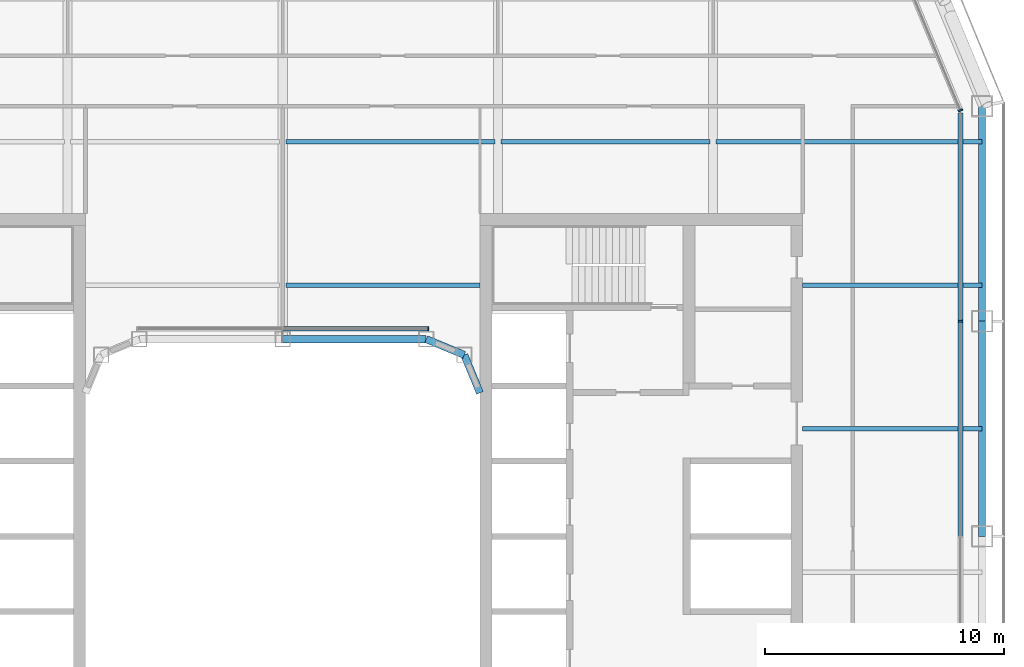
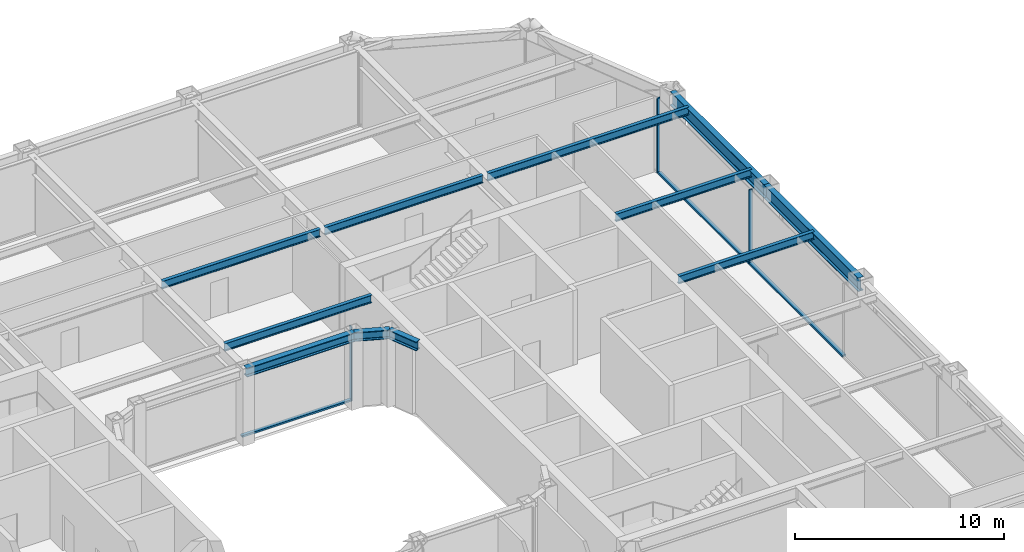
# One storey, part 8 of 21: 11 beams, 6 members, 3 elements without a shape of their own.
"""IFC4 building model written with IfcOpenShell, lengths in metres."""

from ifc_helpers import new_model, si_unit, direction, frame, origin, origin_2d, place, context, subcontext, project, spatial, rectangle, i_section, extrude, material, layer, layer_set, material_profile, profile_set, type_object, element, aggregate, save


model = new_model("IFC4")

# Units and contexts
model_context = context("Model", 3, precision=1e-05, world=origin(), true_north=direction((0.0, 1.0)))
body_context = subcontext(model_context, "Body", "Model", "MODEL_VIEW")
ifc_project = project(units=[si_unit("LENGTHUNIT", "METRE"), si_unit("AREAUNIT", "SQUARE_METRE"), si_unit("VOLUMEUNIT", "CUBIC_METRE"), si_unit("PLANEANGLEUNIT", "RADIAN"), si_unit("MASSUNIT", "GRAM", prefix="KILO")], contexts=[model_context])

# Site, building, storey
site_placement = place(None, origin())
site = spatial("IfcSite", under=ifc_project, at=site_placement, CompositionType="ELEMENT")
building_placement = place(site_placement, origin())
building = spatial("IfcBuilding", under=site, at=building_placement, Name="Siwar Civic Tower", CompositionType="ELEMENT")
storey_placement = place(building_placement, frame((0.0, 0.0, 158.699951171875)))
storey = spatial("IfcBuildingStorey", under=building, at=storey_placement, Name="L34", CompositionType="ELEMENT", Elevation=158.699951171875)

# Curtain wall, member
ifc_material_1 = material(Name="Aluminium and glass", Category="aluminium")
ifc_layer_1 = layer(ifc_material_1, 0.199951171875)
ifc_layer_set_1 = layer_set([ifc_layer_1], Name="Aluminium and glass")
curtain_wall_type_1 = type_object("IfcCurtainWallType", Name="ENV-CW-B", PredefinedType="NOTDEFINED", material=ifc_layer_set_1)
curtain_wall_1_placement = place(storey_placement, origin())
curtain_wall_1 = element("IfcCurtainWall", 1, at=curtain_wall_1_placement, inside=storey, type_object=curtain_wall_type_1, Name="Curtain wall B E", PredefinedType="NOTDEFINED")
ifc_material_2 = material(Name="Aluminium 6063-T6", Category="aluminium")
ifc_material_profile_1 = material_profile(ifc_material_2, rectangle(XDim=0.199951171875, YDim=0.06494140625, at=origin_2d()), Name="AL 200x65")
ifc_profile_set_1 = profile_set([ifc_material_profile_1], Name="Aluminium 6063-T6")
member_type_1 = type_object("IfcMemberType", Name="ENV-MULLION-B", PredefinedType="MULLION", material=ifc_profile_set_1)
member_1_placement = place(storey_placement, frame((28.35009765625, 9.0, 0.0), z_axis=(0.0, 0.0, 1.0), x_axis=(-1.0, 0.0, 0.0)))
member_1 = element("IfcMember", 2, at=member_1_placement, type_object=member_type_1, Name="Mullion B E 4", PredefinedType="MULLION", context=body_context, shape_type="SweptSolid", body=[
    extrude(rectangle(XDim=0.199951171875, YDim=0.06494140625, at=origin_2d()), origin(), (0.0, 0.0, 1.0), 4.35009765625),
])

ifc_material_3 = material(Name="Aluminium clad insulated panel", Category="aluminium")
ifc_layer_2 = layer(ifc_material_3, 0.199951171875)
ifc_layer_set_2 = layer_set([ifc_layer_2], Name="Aluminium clad insulated panel")
curtain_wall_type_2 = type_object("IfcCurtainWallType", Name="ENV-CW-BX", PredefinedType="NOTDEFINED", material=ifc_layer_set_2)
curtain_wall_2_placement = place(storey_placement, origin())
curtain_wall_2 = element("IfcCurtainWall", 3, at=curtain_wall_2_placement, inside=storey, type_object=curtain_wall_type_2, Name="Curtain wall B NE1", PredefinedType="NOTDEFINED")
member_2_placement = place(storey_placement, frame((28.35009765625, 17.821044921875, 0.0), z_axis=(0.0, 0.0, 1.0), x_axis=(-0.923879532511, -0.382683432365, 0.0)))
member_2 = element("IfcMember", 4, at=member_2_placement, type_object=member_type_1, Name="Mullion B NE1 1", PredefinedType="MULLION", context=body_context, shape_type="SweptSolid", body=[
    extrude(rectangle(XDim=0.199951171875, YDim=0.06494140625, at=origin_2d()), origin(), (0.0, 0.0, 1.0), 4.35009765625),
])
aggregate(curtain_wall_2, [member_2])

ifc_material_4 = material(Name="Aluminium and glass", Category="aluminium")
ifc_layer_3 = layer(ifc_material_4, 0.179931640625)
ifc_layer_set_3 = layer_set([ifc_layer_3], Name="Aluminium and glass")
curtain_wall_type_3 = type_object("IfcCurtainWallType", Name="ENV-CW-W", PredefinedType="NOTDEFINED", material=ifc_layer_set_3)
curtain_wall_3_placement = place(storey_placement, origin())
curtain_wall_3 = element("IfcCurtainWall", 5, at=curtain_wall_3_placement, inside=storey, type_object=curtain_wall_type_3, Name="Curtain wall W WN", PredefinedType="NOTDEFINED")
ifc_material_5 = material(Name="Aluminium 6063-T6", Category="aluminium")
ifc_material_profile_2 = material_profile(ifc_material_5, rectangle(XDim=0.179931640625, YDim=0.06005859375, at=origin_2d()), Name="AL 180x60")
ifc_profile_set_2 = profile_set([ifc_material_profile_2], Name="Aluminium 6063-T6")
member_type_2 = type_object("IfcMemberType", Name="ENV-MULLION-W", PredefinedType="MULLION", material=ifc_profile_set_2)
member_3_placement = place(storey_placement, frame((6.08642578125, 8.68505859375, 0.0), z_axis=(0.0, 0.0, 1.0), x_axis=(0.0, -1.0, 0.0)))
member_3 = element("IfcMember", 6, at=member_3_placement, type_object=member_type_2, Name="Mullion W WN 1", PredefinedType="MULLION", context=body_context, shape_type="SweptSolid", body=[
    extrude(rectangle(XDim=0.179931640625, YDim=0.06005859375, at=origin_2d()), origin(), (0.0, 0.0, 1.0), 4.35009765625),
])

# Member
ifc_material_6 = material(Name="Aluminium 6063-T6", Category="aluminium")
ifc_material_profile_3 = material_profile(ifc_material_6, rectangle(XDim=0.199951171875, YDim=0.110107421875, at=origin_2d()), Name="AL 200x110")
ifc_profile_set_3 = profile_set([ifc_material_profile_3], Name="Aluminium 6063-T6")
member_type_3 = type_object("IfcMemberType", Name="ENV-TRANSOM-B", PredefinedType="USERDEFINED", material=ifc_profile_set_3)
member_4_placement = place(storey_placement, frame((28.35009765625, 0.032470703125, 0.054931640625), z_axis=(0.0, 1.0, 0.0), x_axis=(-1.0, 0.0, 0.0)))
member_4 = element("IfcMember", 7, at=member_4_placement, type_object=member_type_3, Name="Transom B E 3", ObjectType="TRANSOM", PredefinedType="USERDEFINED", context=body_context, shape_type="SweptSolid", body=[
    extrude(rectangle(XDim=0.199951171875, YDim=0.110107421875, at=origin_2d()), origin(), (0.0, 0.0, 1.0), 8.93505859375),
])

member_5_placement = place(storey_placement, frame((28.35009765625, 9.032470703125, 0.054931640625), z_axis=(0.0, 1.0, 0.0), x_axis=(-1.0, 0.0, 0.0)))
member_5 = element("IfcMember", 8, at=member_5_placement, type_object=member_type_3, Name="Transom B E 4", ObjectType="TRANSOM", PredefinedType="USERDEFINED", context=body_context, shape_type="SweptSolid", body=[
    extrude(rectangle(XDim=0.199951171875, YDim=0.110107421875, at=origin_2d()), origin(), (0.0, 0.0, 1.0), 8.6748046875),
])

aggregate(curtain_wall_1, [member_1, member_4, member_5])

ifc_material_7 = material(Name="Aluminium 6063-T6", Category="aluminium")
ifc_material_profile_4 = material_profile(ifc_material_7, rectangle(XDim=0.179931640625, YDim=0.10009765625, at=origin_2d()), Name="AL 180x100")
ifc_profile_set_4 = profile_set([ifc_material_profile_4], Name="Aluminium 6063-T6")
member_type_4 = type_object("IfcMemberType", Name="ENV-TRANSOM-W", PredefinedType="USERDEFINED", material=ifc_profile_set_4)
member_6_placement = place(storey_placement, frame((6.056640625, 8.68505859375, 0.050048828125), z_axis=(-1.0, 0.0, 0.0), x_axis=(0.0, -1.0, 0.0)))
member_6 = element("IfcMember", 9, at=member_6_placement, type_object=member_type_4, Name="Transom W WN 1", ObjectType="TRANSOM", PredefinedType="USERDEFINED", context=body_context, shape_type="SweptSolid", body=[
    extrude(rectangle(XDim=0.179931640625, YDim=0.10009765625, at=origin_2d()), origin(), (0.0, 0.0, 1.0), 6.026611328125),
])

aggregate(curtain_wall_3, [member_3, member_6])

# Beams
ifc_material_8 = material(Name="Steel S355", Category="steel")
ifc_material_profile_5 = material_profile(ifc_material_8, i_section(OverallWidth=0.18994140625, OverallDepth=0.449951171875, WebThickness=0.009521484375, FlangeThickness=0.0146484375, FilletRadius=0.02099609375, at=origin_2d()), Name="IPE450")
ifc_profile_set_5 = profile_set([ifc_material_profile_5], Name="Steel S355")
beam_type_1 = type_object("IfcBeamType", Name="STR-FB-IPE450", PredefinedType="JOIST", material=ifc_profile_set_5)
beam_1_placement = place(storey_placement, frame((21.75, 4.5, 4.125), z_axis=(1.0, 0.0, 0.0), x_axis=(0.0, 1.0, 0.0)))
element("IfcBeam", 10, at=beam_1_placement, inside=storey, type_object=beam_type_1, Name="L34/bm/F026", PredefinedType="JOIST", context=body_context, shape_type="SweptSolid", body=[
    extrude(i_section(OverallWidth=0.18994140625, OverallDepth=0.449951171875, WebThickness=0.009521484375, FlangeThickness=0.0146484375, FilletRadius=0.02099609375, at=origin_2d()), origin(), (0.0, 0.0, 1.0), 7.5),
])
beam_2_placement = place(storey_placement, frame((0.1298828125, 10.5, 4.125), z_axis=(1.0, 0.0, 0.0), x_axis=(0.0, 1.0, 0.0)))
element("IfcBeam", 11, at=beam_2_placement, inside=storey, type_object=beam_type_1, Name="L34/bm/F029", PredefinedType="JOIST", context=body_context, shape_type="SweptSolid", body=[
    extrude(i_section(OverallWidth=0.18994140625, OverallDepth=0.449951171875, WebThickness=0.009521484375, FlangeThickness=0.0146484375, FilletRadius=0.02099609375, at=origin_2d()), origin(), (0.0, 0.0, 1.0), 8.1201171875),
])
beam_3_placement = place(storey_placement, frame((21.75, 10.5, 4.125), z_axis=(1.0, 0.0, 0.0), x_axis=(0.0, 1.0, 0.0)))
element("IfcBeam", 12, at=beam_3_placement, inside=storey, type_object=beam_type_1, Name="L34/bm/F030", PredefinedType="JOIST", context=body_context, shape_type="SweptSolid", body=[
    extrude(i_section(OverallWidth=0.18994140625, OverallDepth=0.449951171875, WebThickness=0.009521484375, FlangeThickness=0.0146484375, FilletRadius=0.02099609375, at=origin_2d()), origin(), (0.0, 0.0, 1.0), 7.5),
])
for number, where, z_axis, x_axis, name in (
    (13, (0.1298828125, 16.5, 4.125), (1.0, 0.0, 0.0), (0.0, 1.0, 0.0), "L34/bm/F034"),
    (14, (9.1298828125, 16.5, 4.125), (1.0, 0.0, 0.0), (0.0, 1.0, 0.0), "L34/bm/F035"),
):
    element("IfcBeam", number, at=place(storey_placement, frame(where, z_axis=z_axis, x_axis=x_axis)), inside=storey, type_object=beam_type_1, Name=name, PredefinedType="JOIST", context=body_context, shape_type="SweptSolid", body=[
        extrude(i_section(OverallWidth=0.18994140625, OverallDepth=0.449951171875, WebThickness=0.009521484375, FlangeThickness=0.0146484375, FilletRadius=0.02099609375, at=origin_2d()), origin(), (0.0, 0.0, 1.0), 8.740234375),
    ])
beam_4_placement = place(storey_placement, frame((18.1298828125, 16.5, 4.125), z_axis=(1.0, 0.0, 0.0), x_axis=(0.0, 1.0, 0.0)))
element("IfcBeam", 15, at=beam_4_placement, inside=storey, type_object=beam_type_1, Name="L34/bm/F036", PredefinedType="JOIST", context=body_context, shape_type="SweptSolid", body=[
    extrude(i_section(OverallWidth=0.18994140625, OverallDepth=0.449951171875, WebThickness=0.009521484375, FlangeThickness=0.0146484375, FilletRadius=0.02099609375, at=origin_2d()), origin(), (0.0, 0.0, 1.0), 11.1201171875),
])
ifc_material_9 = material(Name="Steel S355", Category="steel")
ifc_material_profile_6 = material_profile(ifc_material_9, i_section(OverallWidth=0.305908203125, OverallDepth=0.52392578125, WebThickness=0.02099609375, FlangeThickness=0.0400390625, FilletRadius=0.027099609375, at=origin_2d()), Name="HEM500")
ifc_profile_set_6 = profile_set([ifc_material_profile_6], Name="Steel S355")
beam_type_2 = type_object("IfcBeamType", Name="STR-RB-HEM500", PredefinedType="BEAM", material=ifc_profile_set_6)
beam_5_placement = place(storey_placement, frame((0.0, 8.25, 4.088134765625), z_axis=(1.0, 0.0, 0.0), x_axis=(0.0, 1.0, 0.0)))
element("IfcBeam", 16, at=beam_5_placement, inside=storey, type_object=beam_type_2, Name="L34/bm/RN2", PredefinedType="BEAM", context=body_context, shape_type="SweptSolid", body=[
    extrude(i_section(OverallWidth=0.305908203125, OverallDepth=0.52392578125, WebThickness=0.02099609375, FlangeThickness=0.0400390625, FilletRadius=0.027099609375, at=origin_2d()), origin(), (0.0, 0.0, 1.0), 6.0),
])
for number, where, z_axis, x_axis, name in (
    (17, (6.0, 8.25, 4.088134765625), (0.923901072997, -0.382631424892, 0.0), (0.382631424892, 0.923901072997, 0.0), "L34/bm/RN3"),
    (18, (7.591064453125, 7.591064453125, 4.088134765625), (0.382631424892, -0.923901072997, 0.0), (0.923901072997, 0.382631424892, 0.0), "L34/bm/RNEE"),
):
    element("IfcBeam", number, at=place(storey_placement, frame(where, z_axis=z_axis, x_axis=x_axis)), inside=storey, type_object=beam_type_2, Name=name, PredefinedType="BEAM", context=body_context, shape_type="SweptSolid", body=[
        extrude(i_section(OverallWidth=0.305908203125, OverallDepth=0.52392578125, WebThickness=0.02099609375, FlangeThickness=0.0400390625, FilletRadius=0.027099609375, at=origin_2d()), origin(), (0.0, 0.0, 1.0), 1.72216796875),
    ])
ifc_material_10 = material(Name="Steel S355", Category="steel")
ifc_material_profile_7 = material_profile(ifc_material_10, i_section(OverallWidth=0.300048828125, OverallDepth=0.800048828125, WebThickness=0.017578125, FlangeThickness=0.032958984375, FilletRadius=0.030029296875, at=origin_2d()), Name="HEB800")
ifc_profile_set_7 = profile_set([ifc_material_profile_7], Name="Steel S355")
beam_type_3 = type_object("IfcBeamType", Name="STR-SB-HEB800", PredefinedType="BEAM", material=ifc_profile_set_7)
for number, where, z_axis, x_axis, name in (
    (19, (29.25, 0.0, 3.949951171875), (0.0, 1.0, 0.0), (-1.0, 0.0, 0.0), "L34/bm/SE-2"),
    (20, (29.25, 9.0, 3.949951171875), (0.0, 1.0, 0.0), (-1.0, 0.0, 0.0), "L34/bm/SE-3"),
):
    element("IfcBeam", number, at=place(storey_placement, frame(where, z_axis=z_axis, x_axis=x_axis)), inside=storey, type_object=beam_type_3, Name=name, PredefinedType="BEAM", context=body_context, shape_type="SweptSolid", body=[
        extrude(i_section(OverallWidth=0.300048828125, OverallDepth=0.800048828125, WebThickness=0.017578125, FlangeThickness=0.032958984375, FilletRadius=0.030029296875, at=origin_2d()), origin(), (0.0, 0.0, 1.0), 9.0),
    ])

save(model, "model.ifc")
